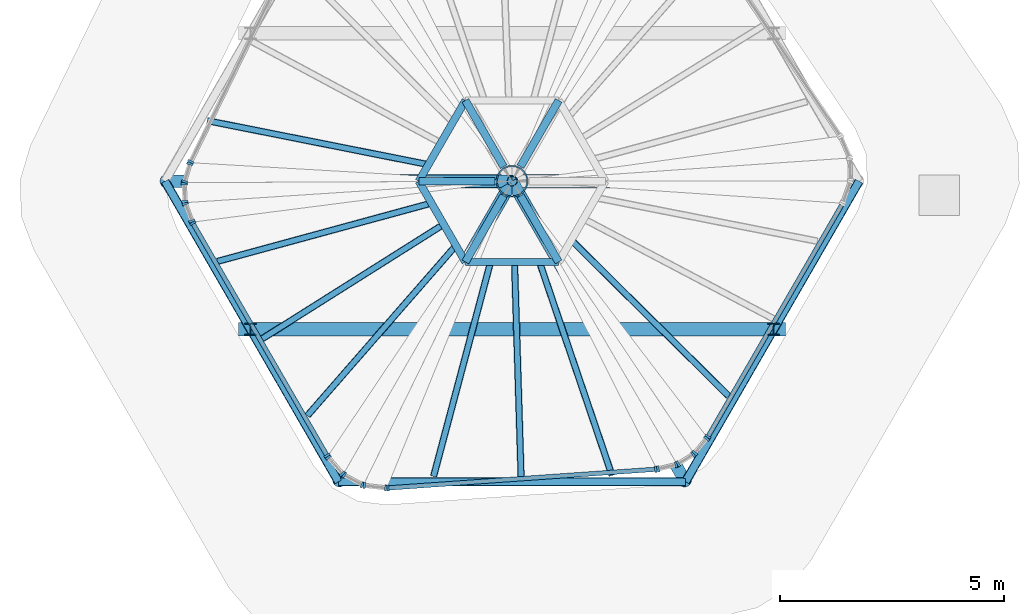
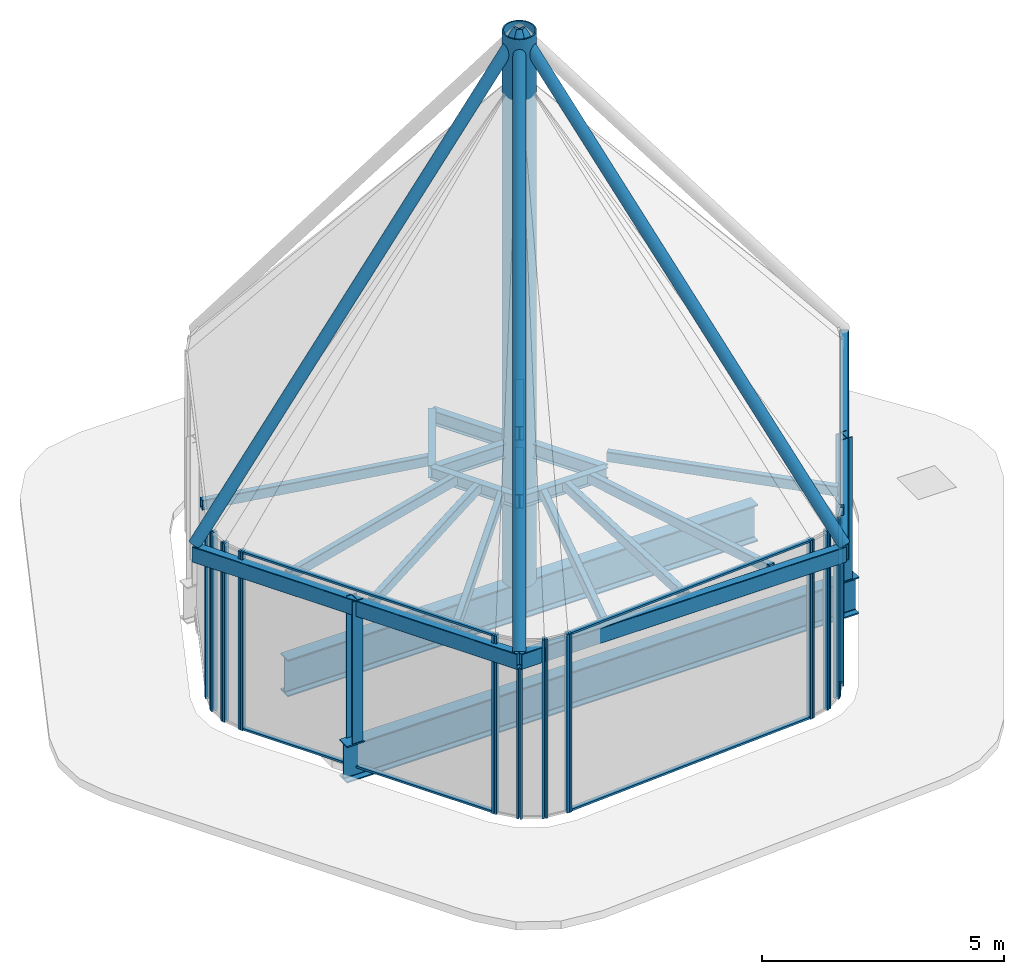
# One storey, part 1 of 4: 35 members, 21 beams, 13 elements without a shape of their own.
"""IFC4 building model written with IfcOpenShell, lengths in metres."""

import ifcopenshell
import ifcopenshell.guid

model = None  # the IFC model being written
_history = None  # IfcOwnerHistory: only IFC2X3 demands one
_inside = {}  # id of a spatial element -> (the spatial element, [elements in it])
_under = {}  # id of a project, library or spatial element -> (it, [spatial elements below it])
_declared = {}  # id of a project -> (the project, [libraries it declares])
_typed = {}  # id of a type object -> (the type object, [elements of that type])
_made_of = {}  # id of a material, layer set ... -> (it, [elements and type objects made of it])


def new_model(schema):
    """Start an empty IFC model of exactly this schema.

    Asked for "IFC4X3", IfcOpenShell would pick the latest addendum, in which some entities
    have other attributes; the version numbers below select the first issue.
    IFC2X3 requires an IfcOwnerHistory on every rooted entity: one is made here for all.
    """
    global model, _history
    if schema == "IFC4X3":
        model = ifcopenshell.file(schema_version=(4, 3, 0, 0))
    else:
        model = ifcopenshell.file(schema=schema)
    _inside.clear()
    _under.clear()
    _declared.clear()
    _typed.clear()
    _made_of.clear()
    _history = None
    if model.schema == "IFC2X3":
        org = make("IfcOrganization", Name="unknown")
        user = make(
            "IfcPersonAndOrganization",
            ThePerson=make("IfcPerson", FamilyName="unknown"),
            TheOrganization=org,
        )
        app = make(
            "IfcApplication",
            ApplicationDeveloper=org,
            Version="unknown",
            ApplicationFullName="unknown",
            ApplicationIdentifier="unknown",
        )
        _history = make(
            "IfcOwnerHistory",
            OwningUser=user,
            OwningApplication=app,
            ChangeAction="ADDED",
            CreationDate=0,
        )
    return model


def make(cls, **values):
    """One entity of the class cls with the attributes given. An attribute that is None is left unset."""
    return model.create_entity(
        cls, **{name: value for name, value in values.items() if value is not None}
    )


def rooted(cls, **values):
    """An entity with a GlobalId (a new one), such as an element, a storey or a relation."""
    return make(cls, GlobalId=ifcopenshell.guid.new(), OwnerHistory=_history, **values)


def si_unit(unit_type, name, prefix=None):
    """IfcSIUnit, for example si_unit("LENGTHUNIT", "METRE", prefix="MILLI")."""
    return make("IfcSIUnit", UnitType=unit_type, Prefix=prefix, Name=name)


def assignment(units):
    """IfcUnitAssignment: the units of a project."""
    return None if units is None else make("IfcUnitAssignment", Units=units)


def point(xyz):
    """IfcCartesianPoint."""
    return None if xyz is None else make("IfcCartesianPoint", Coordinates=xyz)


def direction(xyz):
    """IfcDirection."""
    return None if xyz is None else make("IfcDirection", DirectionRatios=xyz)


def frame(location, z_axis=None, x_axis=None):
    """IfcAxis2Placement3D, a coordinate frame: its origin and axes. An axis left out is left unset."""
    return make(
        "IfcAxis2Placement3D",
        Location=point(location),
        Axis=direction(z_axis),
        RefDirection=direction(x_axis),
    )


def frame_2d(location, x_axis=None):
    """IfcAxis2Placement2D, a coordinate frame in the plane: its origin and x axis."""
    return make(
        "IfcAxis2Placement2D", Location=point(location), RefDirection=direction(x_axis)
    )


def origin():
    """The frame at (0, 0, 0) with its axes left unset."""
    return frame((0.0, 0.0, 0.0))


def origin_2d():
    """The frame at (0, 0) in the plane with its x axis left unset."""
    return frame_2d((0.0, 0.0))


def place(relative_to, where):
    """IfcLocalPlacement: puts the frame where relative to a parent placement (None: the world)."""
    return make(
        "IfcLocalPlacement", PlacementRelTo=relative_to, RelativePlacement=where
    )


def context(
    kind, dimensions, precision=None, world=None, true_north=None, identifier=None
):
    """IfcGeometricRepresentationContext, for example the 3D "Model" context."""
    return make(
        "IfcGeometricRepresentationContext",
        ContextIdentifier=identifier,
        ContextType=kind,
        CoordinateSpaceDimension=dimensions,
        Precision=precision,
        WorldCoordinateSystem=world,
        TrueNorth=true_north,
    )


def subcontext(parent, identifier, kind, view, scale=None):
    """IfcGeometricRepresentationSubContext, for example "Body" below "Model"."""
    return make(
        "IfcGeometricRepresentationSubContext",
        ContextIdentifier=identifier,
        ContextType=kind,
        ParentContext=parent,
        TargetScale=scale,
        TargetView=view,
    )


def project(units=None, contexts=None):
    """IfcProject with its units and contexts."""
    return rooted(
        "IfcProject",
        Name="project",
        RepresentationContexts=contexts,
        UnitsInContext=assignment(units),
    )


def spatial(cls, under=None, at=None, **own):
    """A site, building, storey or space (cls), placed at a placement, below another one or the project."""
    s = rooted(cls, ObjectPlacement=at, **own)
    if under is not None:
        _under.setdefault(under.id(), (under, []))[1].append(s)
    return s


def profile(cls, at=None, kind="AREA", **sizes):
    """A parametric profile (cls). Its sizes go by their IFC names, for example OverallWidth=200.0."""
    return make(cls, ProfileType=kind, Position=at, **sizes)


def rectangle(**sizes):
    """IfcRectangleProfileDef."""
    return profile("IfcRectangleProfileDef", **sizes)


def hollow_rectangle(**sizes):
    """IfcRectangleHollowProfileDef."""
    return profile("IfcRectangleHollowProfileDef", **sizes)


def hollow_circle(**sizes):
    """IfcCircleHollowProfileDef."""
    return profile("IfcCircleHollowProfileDef", **sizes)


def i_section(**sizes):
    """IfcIShapeProfileDef."""
    return profile("IfcIShapeProfileDef", **sizes)


def extrude(swept, where, along, depth):
    """IfcExtrudedAreaSolid: the profile swept, set in the frame where, extruded along a direction by depth."""
    return make(
        "IfcExtrudedAreaSolid",
        SweptArea=swept,
        Position=where,
        ExtrudedDirection=direction(along),
        Depth=depth,
    )


def shape(context_of_items, identifier, shape_type, items):
    """IfcShapeRepresentation: the items that make up one representation, for example the "Body"."""
    return make(
        "IfcShapeRepresentation",
        ContextOfItems=context_of_items,
        RepresentationIdentifier=identifier,
        RepresentationType=shape_type,
        Items=items,
    )


def material(Name=None, Category=None):
    """IfcMaterial."""
    return make("IfcMaterial", Name=Name, Category=Category)


def material_profile(
    of_material, cross_section, Name=None, Category=None, Priority=None
):
    """IfcMaterialProfile: a cross section and its material."""
    return make(
        "IfcMaterialProfile",
        Name=Name,
        Material=of_material,
        Profile=cross_section,
        Priority=Priority,
        Category=Category,
    )


def profile_set(profiles, Name=None, composite=None):
    """IfcMaterialProfileSet."""
    return make(
        "IfcMaterialProfileSet",
        Name=Name,
        MaterialProfiles=profiles,
        CompositeProfile=composite,
    )


def made_of(thing, what):
    """Note that an element or type object is made of a material, layer set ...; save() writes the relation."""
    if what is not None:
        _made_of.setdefault(what.id(), (what, []))[1].append(thing)
    return thing


def type_object(cls, material=None, **own):
    """A type object (cls), such as IfcWallType, which elements share."""
    return made_of(rooted(cls, **own), material)


def element(
    cls,
    number,
    at=None,
    inside=None,
    cuts=None,
    type_object=None,
    material=None,
    context=None,
    identifier="Body",
    shape_type=None,
    held_by="IfcProductDefinitionShape",
    body=None,
    shapes=None,
    **own,
):
    """One element of the class cls, such as IfcWall. Its Tag is "e" and its number.

    at: its placement. inside: the storey or other place that contains it. cuts: it is an
    opening in that element (IfcRelVoidsElement). A single representation is given by context,
    identifier, shape_type and body (its items); several are given by shapes. held_by: the class
    of the entity that holds the representations. save() writes the other relations.
    """
    e = rooted(cls, Tag="e%d" % number, ObjectPlacement=at, **own)
    if body is not None:
        shapes = [shape(context, identifier, shape_type, body)]
    if shapes is not None:
        e.Representation = make(held_by, Representations=shapes)
    if inside is not None:
        _inside.setdefault(inside.id(), (inside, []))[1].append(e)
    if cuts is not None:
        rooted(
            "IfcRelVoidsElement", RelatingBuildingElement=cuts, RelatedOpeningElement=e
        )
    if type_object is not None:
        _typed.setdefault(type_object.id(), (type_object, []))[1].append(e)
    return made_of(e, material)


def aggregate(whole, parts):
    """IfcRelAggregates: a whole, such as a stair, and the parts it consists of."""
    return rooted("IfcRelAggregates", RelatingObject=whole, RelatedObjects=parts)


def save(model, path):
    """Write the relations noted so far, then the file.

    IfcRelAggregates (storeys below a building ...), IfcRelContainedInSpatialStructure (elements
    in a storey), IfcRelDefinesByType, IfcRelAssociatesMaterial and IfcRelDeclares: one each for
    every whole, place, type object, material and project.
    """
    for whole, parts in _under.values():
        aggregate(whole, parts)
    for where, things in _inside.values():
        rooted(
            "IfcRelContainedInSpatialStructure",
            RelatedElements=things,
            RelatingStructure=where,
        )
    for kind, things in _typed.values():
        rooted("IfcRelDefinesByType", RelatedObjects=things, RelatingType=kind)
    for what, things in _made_of.values():
        rooted("IfcRelAssociatesMaterial", RelatedObjects=things, RelatingMaterial=what)
    for by, libraries in _declared.values():
        rooted("IfcRelDeclares", RelatingContext=by, RelatedDefinitions=libraries)
    model.write(path)


model = new_model("IFC4")

# Units and contexts
model_context = context("Model", 3, precision=1e-05, world=origin(), true_north=direction((0.0, 1.0)))
body_context = subcontext(model_context, "Body", "Model", "MODEL_VIEW")
ifc_project = project(units=[si_unit("LENGTHUNIT", "METRE"), si_unit("AREAUNIT", "SQUARE_METRE"), si_unit("VOLUMEUNIT", "CUBIC_METRE"), si_unit("PLANEANGLEUNIT", "RADIAN"), si_unit("MASSUNIT", "GRAM", prefix="KILO")], contexts=[model_context])

# Site, building, storey
site_placement = place(None, origin())
site = spatial("IfcSite", under=ifc_project, at=site_placement, CompositionType="ELEMENT")
building_placement = place(site_placement, origin())
building = spatial("IfcBuilding", under=site, at=building_placement, Name="Tarnside Tower", CompositionType="ELEMENT")
storey_placement = place(building_placement, frame((0.0, 0.0, 410.699951171875)))
storey = spatial("IfcBuildingStorey", under=building, at=storey_placement, Name="L97", CompositionType="ELEMENT", Elevation=410.699951171875)

# Curtain wall, member
ifc_material_1 = material(Name="Crown glazing wall", Category="glass")
curtain_wall_type = type_object("IfcCurtainWallType", Name="Crown glazing wall", PredefinedType="NOTDEFINED", material=ifc_material_1)
curtain_wall_1_placement = place(storey_placement, origin())
curtain_wall_1 = element("IfcCurtainWall", 1, at=curtain_wall_1_placement, inside=storey, type_object=curtain_wall_type, Name="Crown glazing L97 08", PredefinedType="NOTDEFINED")
ifc_material_2 = material(Name="Aluminium alloy 6063", Category="aluminium")
ifc_material_profile_1 = material_profile(ifc_material_2, rectangle(XDim=0.139892578125, YDim=0.050048828125, at=origin_2d()), Name="Crown glazing mullion 50 x 140")
ifc_profile_set_1 = profile_set([ifc_material_profile_1], Name="Aluminium alloy 6063")
member_type_1 = type_object("IfcMemberType", Name="Crown glazing mullion 50 x 140", PredefinedType="MULLION", material=ifc_profile_set_1)
member_1_placement = place(storey_placement, frame((4.367431640625, -5.6953125, 0.0), z_axis=(0.0, 0.0, 1.0), x_axis=(0.866025403706, -0.500000000136, 0.0)))
member_1 = element("IfcMember", 2, at=member_1_placement, type_object=member_type_1, Name="CW6 mullion 2", PredefinedType="MULLION", context=body_context, shape_type="SweptSolid", body=[
    extrude(rectangle(XDim=0.139892578125, YDim=0.050048828125, at=origin_2d()), origin(), (0.0, 0.0, 1.0), 4.5),
])

# Curtain wall, members
curtain_wall_2_placement = place(storey_placement, origin())
curtain_wall_2 = element("IfcCurtainWall", 3, at=curtain_wall_2_placement, inside=storey, type_object=curtain_wall_type, Name="Crown glazing L97 09", PredefinedType="NOTDEFINED")
member_2_placement = place(storey_placement, frame((4.339111328125, -5.736328125, 0.0), z_axis=(0.0, 0.0, 1.0), x_axis=(0.773471593877, -0.633830966004, 0.0)))
member_2 = element("IfcMember", 4, at=member_2_placement, type_object=member_type_1, Name="CW6 mullion 1", PredefinedType="MULLION", context=body_context, shape_type="SweptSolid", body=[
    extrude(rectangle(XDim=0.139892578125, YDim=0.050048828125, at=origin_2d()), origin(), (0.0, 0.0, 1.0), 4.5),
])
member_3_placement = place(storey_placement, frame((4.076171875, -6.05712890625, 0.0), z_axis=(0.0, 0.0, 1.0), x_axis=(0.773471593877, -0.633830966004, 0.0)))
member_3 = element("IfcMember", 5, at=member_3_placement, type_object=member_type_1, Name="CW6 mullion 2", PredefinedType="MULLION", context=body_context, shape_type="SweptSolid", body=[
    extrude(rectangle(XDim=0.139892578125, YDim=0.050048828125, at=origin_2d()), origin(), (0.0, 0.0, 1.0), 4.5),
])
aggregate(curtain_wall_2, [member_2, member_3])

curtain_wall_3_placement = place(storey_placement, origin())
curtain_wall_3 = element("IfcCurtainWall", 6, at=curtain_wall_3_placement, inside=storey, type_object=curtain_wall_type, Name="Crown glazing L97 10", PredefinedType="NOTDEFINED")
member_4_placement = place(storey_placement, frame((4.0390625, -6.08984375, 0.0), z_axis=(0.0, 0.0, 1.0), x_axis=(0.529919263049, -0.848048096896, 0.0)))
member_4 = element("IfcMember", 7, at=member_4_placement, type_object=member_type_1, Name="CW6 mullion 1", PredefinedType="MULLION", context=body_context, shape_type="SweptSolid", body=[
    extrude(rectangle(XDim=0.139892578125, YDim=0.050048828125, at=origin_2d()), origin(), (0.0, 0.0, 1.0), 4.5),
])
member_5_placement = place(storey_placement, frame((3.702880859375, -6.300048828125, 0.0), z_axis=(0.0, 0.0, 1.0), x_axis=(0.529919263049, -0.848048096896, 0.0)))
member_5 = element("IfcMember", 8, at=member_5_placement, type_object=member_type_1, Name="CW6 mullion 2", PredefinedType="MULLION", context=body_context, shape_type="SweptSolid", body=[
    extrude(rectangle(XDim=0.139892578125, YDim=0.050048828125, at=origin_2d()), origin(), (0.0, 0.0, 1.0), 4.5),
])
aggregate(curtain_wall_3, [member_4, member_5])

curtain_wall_4_placement = place(storey_placement, origin())
curtain_wall_4 = element("IfcCurtainWall", 9, at=curtain_wall_4_placement, inside=storey, type_object=curtain_wall_type, Name="Crown glazing L97 11", PredefinedType="NOTDEFINED")
member_6_placement = place(storey_placement, frame((3.6572265625, -6.31884765625, 0.0), z_axis=(0.0, 0.0, 1.0), x_axis=(0.230615870992, -0.973044870521, 0.0)))
member_6 = element("IfcMember", 10, at=member_6_placement, type_object=member_type_1, Name="CW6 mullion 1", PredefinedType="MULLION", context=body_context, shape_type="SweptSolid", body=[
    extrude(rectangle(XDim=0.139892578125, YDim=0.050048828125, at=origin_2d()), origin(), (0.0, 0.0, 1.0), 4.5),
])
member_7_placement = place(storey_placement, frame((3.253662109375, -6.41455078125, 0.0), z_axis=(0.0, 0.0, 1.0), x_axis=(0.230615870992, -0.973044870521, 0.0)))
member_7 = element("IfcMember", 11, at=member_7_placement, type_object=member_type_1, Name="CW6 mullion 2", PredefinedType="MULLION", context=body_context, shape_type="SweptSolid", body=[
    extrude(rectangle(XDim=0.139892578125, YDim=0.050048828125, at=origin_2d()), origin(), (0.0, 0.0, 1.0), 4.5),
])
aggregate(curtain_wall_4, [member_6, member_7])

curtain_wall_5_placement = place(storey_placement, origin())
curtain_wall_5 = element("IfcCurtainWall", 12, at=curtain_wall_5_placement, inside=storey, type_object=curtain_wall_type, Name="Crown glazing L97 12", PredefinedType="NOTDEFINED")
member_8_placement = place(storey_placement, frame((3.204345703125, -6.422119140625, 0.0), z_axis=(0.0, 0.0, 1.0), x_axis=(0.069756473709, -0.997564050262, 0.0)))
member_8 = element("IfcMember", 13, at=member_8_placement, type_object=member_type_1, Name="CW6 mullion 1", PredefinedType="MULLION", context=body_context, shape_type="SweptSolid", body=[
    extrude(rectangle(XDim=0.139892578125, YDim=0.050048828125, at=origin_2d()), origin(), (0.0, 0.0, 1.0), 4.5),
])
member_9_placement = place(storey_placement, frame((-2.7646484375, -6.839599609375, 0.0), z_axis=(0.0, 0.0, 1.0), x_axis=(0.069756473709, -0.997564050262, 0.0)))
member_9 = element("IfcMember", 14, at=member_9_placement, type_object=member_type_1, Name="CW6 mullion 2", PredefinedType="MULLION", context=body_context, shape_type="SweptSolid", body=[
    extrude(rectangle(XDim=0.139892578125, YDim=0.050048828125, at=origin_2d()), origin(), (0.0, 0.0, 1.0), 4.5),
])

curtain_wall_6_placement = place(storey_placement, origin())
curtain_wall_6 = element("IfcCurtainWall", 15, at=curtain_wall_6_placement, inside=storey, type_object=curtain_wall_type, Name="Crown glazing L97 13", PredefinedType="NOTDEFINED")
member_10_placement = place(storey_placement, frame((-2.814453125, -6.83837890625, 0.0), z_axis=(0.0, 0.0, 1.0), x_axis=(-0.116092913351, -0.993238357832, 0.0)))
member_10 = element("IfcMember", 16, at=member_10_placement, type_object=member_type_1, Name="CW6 mullion 1", PredefinedType="MULLION", context=body_context, shape_type="SweptSolid", body=[
    extrude(rectangle(XDim=0.139892578125, YDim=0.050048828125, at=origin_2d()), origin(), (0.0, 0.0, 1.0), 4.5),
])
member_11_placement = place(storey_placement, frame((-3.29150390625, -6.782470703125, 0.0), z_axis=(0.0, 0.0, 1.0), x_axis=(-0.116092913351, -0.993238357832, 0.0)))
member_11 = element("IfcMember", 17, at=member_11_placement, type_object=member_type_1, Name="CW6 mullion 2", PredefinedType="MULLION", context=body_context, shape_type="SweptSolid", body=[
    extrude(rectangle(XDim=0.139892578125, YDim=0.050048828125, at=origin_2d()), origin(), (0.0, 0.0, 1.0), 4.5),
])
aggregate(curtain_wall_6, [member_10, member_11])

curtain_wall_7_placement = place(storey_placement, origin())
curtain_wall_7 = element("IfcCurtainWall", 18, at=curtain_wall_7_placement, inside=storey, type_object=curtain_wall_type, Name="Crown glazing L97 14", PredefinedType="NOTDEFINED")
member_12_placement = place(storey_placement, frame((-3.33837890625, -6.76806640625, 0.0), z_axis=(0.0, 0.0, 1.0), x_axis=(-0.469471562586, -0.882947592965, 0.0)))
member_12 = element("IfcMember", 19, at=member_12_placement, type_object=member_type_1, Name="CW6 mullion 1", PredefinedType="MULLION", context=body_context, shape_type="SweptSolid", body=[
    extrude(rectangle(XDim=0.139892578125, YDim=0.050048828125, at=origin_2d()), origin(), (0.0, 0.0, 1.0), 4.5),
])
member_13_placement = place(storey_placement, frame((-3.744140625, -6.55224609375, 0.0), z_axis=(0.0, 0.0, 1.0), x_axis=(-0.469471562586, -0.882947592965, 0.0)))
member_13 = element("IfcMember", 20, at=member_13_placement, type_object=member_type_1, Name="CW6 mullion 2", PredefinedType="MULLION", context=body_context, shape_type="SweptSolid", body=[
    extrude(rectangle(XDim=0.139892578125, YDim=0.050048828125, at=origin_2d()), origin(), (0.0, 0.0, 1.0), 4.5),
])
aggregate(curtain_wall_7, [member_12, member_13])

curtain_wall_8_placement = place(storey_placement, origin())
curtain_wall_8 = element("IfcCurtainWall", 21, at=curtain_wall_8_placement, inside=storey, type_object=curtain_wall_type, Name="Crown glazing L97 15", PredefinedType="NOTDEFINED")
member_14_placement = place(storey_placement, frame((-3.782470703125, -6.521484375, 0.0), z_axis=(0.0, 0.0, 1.0), x_axis=(-0.758513584084, -0.651657227965, 0.0)))
member_14 = element("IfcMember", 22, at=member_14_placement, type_object=member_type_1, Name="CW6 mullion 1", PredefinedType="MULLION", context=body_context, shape_type="SweptSolid", body=[
    extrude(rectangle(XDim=0.139892578125, YDim=0.050048828125, at=origin_2d()), origin(), (0.0, 0.0, 1.0), 4.5),
])
member_15_placement = place(storey_placement, frame((-4.095458984375, -6.1572265625, 0.0), z_axis=(0.0, 0.0, 1.0), x_axis=(-0.758513584084, -0.651657227965, 0.0)))
member_15 = element("IfcMember", 23, at=member_15_placement, type_object=member_type_1, Name="CW6 mullion 2", PredefinedType="MULLION", context=body_context, shape_type="SweptSolid", body=[
    extrude(rectangle(XDim=0.139892578125, YDim=0.050048828125, at=origin_2d()), origin(), (0.0, 0.0, 1.0), 4.5),
])
aggregate(curtain_wall_8, [member_14, member_15])

curtain_wall_9_placement = place(storey_placement, origin())
curtain_wall_9 = element("IfcCurtainWall", 24, at=curtain_wall_9_placement, inside=storey, type_object=curtain_wall_type, Name="Crown glazing L97 16", PredefinedType="NOTDEFINED")
member_16_placement = place(storey_placement, frame((-4.124267578125, -6.11669921875, 0.0), z_axis=(0.0, 0.0, 1.0), x_axis=(-0.866025403706, -0.500000000136, 0.0)))
member_16 = element("IfcMember", 25, at=member_16_placement, type_object=member_type_1, Name="CW6 mullion 1", PredefinedType="MULLION", context=body_context, shape_type="SweptSolid", body=[
    extrude(rectangle(XDim=0.139892578125, YDim=0.050048828125, at=origin_2d()), origin(), (0.0, 0.0, 1.0), 4.5),
])
member_17_placement = place(storey_placement, frame((-7.115966796875, -0.934814453125, 0.0), z_axis=(0.0, 0.0, 1.0), x_axis=(-0.866025403706, -0.500000000136, 0.0)))
member_17 = element("IfcMember", 26, at=member_17_placement, type_object=member_type_1, Name="CW6 mullion 2", PredefinedType="MULLION", context=body_context, shape_type="SweptSolid", body=[
    extrude(rectangle(XDim=0.139892578125, YDim=0.050048828125, at=origin_2d()), origin(), (0.0, 0.0, 1.0), 4.5),
])

curtain_wall_10_placement = place(storey_placement, origin())
curtain_wall_10 = element("IfcCurtainWall", 27, at=curtain_wall_10_placement, inside=storey, type_object=curtain_wall_type, Name="Crown glazing L97 17", PredefinedType="NOTDEFINED")
member_18_placement = place(storey_placement, frame((-7.137451171875, -0.8896484375, 0.0), z_axis=(0.0, 0.0, 1.0), x_axis=(-0.935649515998, -0.352930564295, 0.0)))
member_18 = element("IfcMember", 28, at=member_18_placement, type_object=member_type_1, Name="CW6 mullion 1", PredefinedType="MULLION", context=body_context, shape_type="SweptSolid", body=[
    extrude(rectangle(XDim=0.139892578125, YDim=0.050048828125, at=origin_2d()), origin(), (0.0, 0.0, 1.0), 4.5),
])
member_19_placement = place(storey_placement, frame((-7.28369140625, -0.50146484375, 0.0), z_axis=(0.0, 0.0, 1.0), x_axis=(-0.935649515998, -0.352930564295, 0.0)))
member_19 = element("IfcMember", 29, at=member_19_placement, type_object=member_type_1, Name="CW6 mullion 2", PredefinedType="MULLION", context=body_context, shape_type="SweptSolid", body=[
    extrude(rectangle(XDim=0.139892578125, YDim=0.050048828125, at=origin_2d()), origin(), (0.0, 0.0, 1.0), 4.5),
])
aggregate(curtain_wall_10, [member_18, member_19])

curtain_wall_11_placement = place(storey_placement, origin())
curtain_wall_11 = element("IfcCurtainWall", 30, at=curtain_wall_11_placement, inside=storey, type_object=curtain_wall_type, Name="Crown glazing L97 18", PredefinedType="NOTDEFINED")
member_20_placement = place(storey_placement, frame((-7.29345703125, -0.453125, 0.0), z_axis=(0.0, 0.0, 1.0), x_axis=(-0.99939082702, -0.034899496685, 0.0)))
member_20 = element("IfcMember", 31, at=member_20_placement, type_object=member_type_1, Name="CW6 mullion 1", PredefinedType="MULLION", context=body_context, shape_type="SweptSolid", body=[
    extrude(rectangle(XDim=0.139892578125, YDim=0.050048828125, at=origin_2d()), origin(), (0.0, 0.0, 1.0), 4.5),
])
member_21_placement = place(storey_placement, frame((-7.307373046875, -0.056640625, 0.0), z_axis=(0.0, 0.0, 1.0), x_axis=(-0.99939082702, -0.034899496685, 0.0)))
member_21 = element("IfcMember", 32, at=member_21_placement, type_object=member_type_1, Name="CW6 mullion 2", PredefinedType="MULLION", context=body_context, shape_type="SweptSolid", body=[
    extrude(rectangle(XDim=0.139892578125, YDim=0.050048828125, at=origin_2d()), origin(), (0.0, 0.0, 1.0), 4.5),
])
aggregate(curtain_wall_11, [member_20, member_21])

curtain_wall_12_placement = place(storey_placement, origin())
curtain_wall_12 = element("IfcCurtainWall", 33, at=curtain_wall_12_placement, inside=storey, type_object=curtain_wall_type, Name="Crown glazing L97 19", PredefinedType="NOTDEFINED")
member_22_placement = place(storey_placement, frame((-7.301025390625, -0.0078125, 0.0), z_axis=(0.0, 0.0, 1.0), x_axis=(-0.957989512404, 0.286803232416, 0.0)))
member_22 = element("IfcMember", 34, at=member_22_placement, type_object=member_type_1, Name="CW6 mullion 1", PredefinedType="MULLION", context=body_context, shape_type="SweptSolid", body=[
    extrude(rectangle(XDim=0.139892578125, YDim=0.050048828125, at=origin_2d()), origin(), (0.0, 0.0, 1.0), 4.5),
])
member_23_placement = place(storey_placement, frame((-7.181884765625, 0.3896484375, 0.0), z_axis=(0.0, 0.0, 1.0), x_axis=(-0.957989512404, 0.286803232416, 0.0)))
member_23 = element("IfcMember", 35, at=member_23_placement, type_object=member_type_1, Name="CW6 mullion 2", PredefinedType="MULLION", context=body_context, shape_type="SweptSolid", body=[
    extrude(rectangle(XDim=0.139892578125, YDim=0.050048828125, at=origin_2d()), origin(), (0.0, 0.0, 1.0), 4.5),
])
aggregate(curtain_wall_12, [member_22, member_23])

# Curtain wall, member
curtain_wall_13_placement = place(storey_placement, origin())
curtain_wall_13 = element("IfcCurtainWall", 36, at=curtain_wall_13_placement, inside=storey, type_object=curtain_wall_type, Name="Crown glazing L97 20", PredefinedType="NOTDEFINED")
member_24_placement = place(storey_placement, frame((-7.163818359375, 0.43603515625, 0.0), z_axis=(0.0, 0.0, 1.0), x_axis=(-0.898794046246, 0.438371146899, 0.0)))
member_24 = element("IfcMember", 37, at=member_24_placement, type_object=member_type_1, Name="CW6 mullion 1", PredefinedType="MULLION", context=body_context, shape_type="SweptSolid", body=[
    extrude(rectangle(XDim=0.139892578125, YDim=0.050048828125, at=origin_2d()), origin(), (0.0, 0.0, 1.0), 4.5),
])
aggregate(curtain_wall_13, [member_24])

# Member
ifc_material_profile_2 = material_profile(ifc_material_2, rectangle(XDim=0.10009765625, YDim=0.050048828125, at=origin_2d()), Name="Crown glazing transom 50 x 100")
ifc_profile_set_2 = profile_set([ifc_material_profile_2], Name="Aluminium alloy 6063")
member_type_2 = type_object("IfcMemberType", Name="Crown glazing transom 50 x 100", PredefinedType="USERDEFINED", material=ifc_profile_set_2)
member_25_placement = place(storey_placement, frame((7.3466796875, -0.53515625, 0.025146484375), z_axis=(-0.500015704134, -0.866016336809, 0.0), x_axis=(0.866016336809, -0.500015704134, 0.0)))
member_25 = element("IfcMember", 38, at=member_25_placement, type_object=member_type_2, Name="CW6 transom 1.1", ObjectType="TRANSOM", PredefinedType="USERDEFINED", context=body_context, shape_type="SweptSolid", body=[
    extrude(rectangle(XDim=0.10009765625, YDim=0.050048828125, at=origin_2d()), origin(), (0.0, 0.0, 1.0), 5.933349609375),
])

aggregate(curtain_wall_1, [member_1, member_25])

member_26_placement = place(storey_placement, frame((3.179443359375, -6.423828125, 0.025146484375), z_axis=(-0.997562262058, -0.069782041512, 0.0), x_axis=(0.069782041512, -0.997562262058, 0.0)))
member_26 = element("IfcMember", 39, at=member_26_placement, type_object=member_type_2, Name="CW6 transom 1.1", ObjectType="TRANSOM", PredefinedType="USERDEFINED", context=body_context, shape_type="SweptSolid", body=[
    extrude(rectangle(XDim=0.10009765625, YDim=0.050048828125, at=origin_2d()), origin(), (0.0, 0.0, 1.0), 5.93359375),
])

member_27_placement = place(storey_placement, frame((3.179443359375, -6.423828125, 4.47509765625), z_axis=(-0.997562262058, -0.069782041512, 0.0), x_axis=(0.069782041512, -0.997562262058, 0.0)))
member_27 = element("IfcMember", 40, at=member_27_placement, type_object=member_type_2, Name="CW6 transom 1.2", ObjectType="TRANSOM", PredefinedType="USERDEFINED", context=body_context, shape_type="SweptSolid", body=[
    extrude(rectangle(XDim=0.10009765625, YDim=0.050048828125, at=origin_2d()), origin(), (0.0, 0.0, 1.0), 5.93359375),
])

aggregate(curtain_wall_5, [member_8, member_9, member_26, member_27])

member_28_placement = place(storey_placement, frame((-4.13671875, -6.094970703125, 0.025146484375), z_axis=(-0.49999788721, 0.866026623601, 0.0), x_axis=(-0.866026623601, -0.49999788721, 0.0)))
member_28 = element("IfcMember", 41, at=member_28_placement, type_object=member_type_2, Name="CW6 transom 1.1", ObjectType="TRANSOM", PredefinedType="USERDEFINED", context=body_context, shape_type="SweptSolid", body=[
    extrude(rectangle(XDim=0.10009765625, YDim=0.050048828125, at=origin_2d()), origin(), (0.0, 0.0, 1.0), 5.93359375),
])

member_29_placement = place(storey_placement, frame((-4.13671875, -6.094970703125, 4.47509765625), z_axis=(-0.49999788721, 0.866026623601, 0.0), x_axis=(-0.866026623601, -0.49999788721, 0.0)))
member_29 = element("IfcMember", 42, at=member_29_placement, type_object=member_type_2, Name="CW6 transom 1.2", ObjectType="TRANSOM", PredefinedType="USERDEFINED", context=body_context, shape_type="SweptSolid", body=[
    extrude(rectangle(XDim=0.10009765625, YDim=0.050048828125, at=origin_2d()), origin(), (0.0, 0.0, 1.0), 5.93359375),
])

aggregate(curtain_wall_9, [member_16, member_17, member_28, member_29])

# Members
ifc_material_3 = material(Name="Steel S355", Category="steel")
ifc_material_profile_3 = material_profile(ifc_material_3, hollow_circle(Radius=0.136474609375, WallThickness=0.012451171875, at=origin_2d()), Name="CHS 273x12.5")
ifc_profile_set_3 = profile_set([ifc_material_profile_3], Name="Steel S355")
member_type_3 = type_object("IfcMemberType", Name="Crown rafter CHS 273x12.5", PredefinedType="RAFTER", material=ifc_profile_set_3)
member_30_placement = place(storey_placement, frame((-7.736572265625, 0.0, 4.300048828125), z_axis=(0.602442784499, 0.0, 0.798162070889), x_axis=(0.0, 1.0, 0.0)))
element("IfcMember", 43, at=member_30_placement, inside=storey, type_object=member_type_3, Name="Pyramid rib 2", PredefinedType="RAFTER", context=body_context, shape_type="SweptSolid", body=[
    extrude(hollow_circle(Radius=0.136474609375, WallThickness=0.012451171875, at=origin_2d()), origin(), (0.0, 0.0, 1.0), 12.842041015625),
])
for number, where, z_axis, x_axis, name in (
    (44, (-3.8681640625, -6.699951171875, 4.300048828125), (0.301214180284, 0.521725621657, 0.798168148514), (-0.866028456981, 0.499994711672, 0.0), "Pyramid rib 3"),
    (45, (3.8681640625, -6.699951171875, 4.300048828125), (-0.301214180284, 0.521725621657, 0.798168148514), (-0.866028456981, -0.499994711672, 0.0), "Pyramid rib 4"),
):
    element("IfcMember", number, at=place(storey_placement, frame(where, z_axis=z_axis, x_axis=x_axis)), inside=storey, type_object=member_type_3, Name=name, PredefinedType="RAFTER", context=body_context, shape_type="SweptSolid", body=[
        extrude(hollow_circle(Radius=0.136474609375, WallThickness=0.012451171875, at=origin_2d()), origin(), (0.0, 0.0, 1.0), 12.841796875),
    ])

# Beams
ifc_material_profile_4 = material_profile(ifc_material_3, hollow_rectangle(XDim=0.14990234375, YDim=0.25, WallThickness=0.010009765625, InnerFilletRadius=0.010009765625, OuterFilletRadius=0.02001953125, at=origin_2d()), Name="RHS 250x150x10")
ifc_profile_set_4 = profile_set([ifc_material_profile_4], Name="Steel S355")
beam_type_1 = type_object("IfcBeamType", Name="Floor beam RHS 250x150x10", PredefinedType="BEAM", material=ifc_profile_set_4)
beam_1_placement = place(storey_placement, frame((-6.798095703125, 1.349609375, 4.175048828125), z_axis=(0.980854475131, -0.194742133644, 0.0), x_axis=(0.194742133644, 0.980854475131, 0.0)))
element("IfcBeam", 46, at=beam_1_placement, inside=storey, type_object=beam_type_1, Name="Floor beam RB6", PredefinedType="BEAM", context=body_context, shape_type="SweptSolid", body=[
    extrude(hollow_rectangle(XDim=0.14990234375, YDim=0.25, WallThickness=0.010009765625, InnerFilletRadius=0.010009765625, OuterFilletRadius=0.02001953125, at=origin_2d()), origin(), (0.0, 0.0, 1.0), 4.989501953125),
])
beam_2_placement = place(storey_placement, frame((-6.566650390625, -1.787841796875, 4.175048828125), z_axis=(0.964871290536, 0.262723034199, 0.0), x_axis=(-0.262723034199, 0.964871290536, 0.0)))
element("IfcBeam", 47, at=beam_2_placement, inside=storey, type_object=beam_type_1, Name="Floor beam RB7", PredefinedType="BEAM", context=body_context, shape_type="SweptSolid", body=[
    extrude(hollow_rectangle(XDim=0.14990234375, YDim=0.25, WallThickness=0.010009765625, InnerFilletRadius=0.010009765625, OuterFilletRadius=0.02001953125, at=origin_2d()), origin(), (0.0, 0.0, 1.0), 4.92431640625),
])
beam_3_placement = place(storey_placement, frame((-5.569580078125, -3.51318359375, 4.175048828125), z_axis=(0.84578835753, 0.533518560376, 0.0), x_axis=(-0.533518560376, 0.84578835753, 0.0)))
element("IfcBeam", 48, at=beam_3_placement, inside=storey, type_object=beam_type_1, Name="Floor beam RB8", PredefinedType="BEAM", context=body_context, shape_type="SweptSolid", body=[
    extrude(hollow_rectangle(XDim=0.14990234375, YDim=0.25, WallThickness=0.010009765625, InnerFilletRadius=0.010009765625, OuterFilletRadius=0.02001953125, at=origin_2d()), origin(), (0.0, 0.0, 1.0), 4.763671875),
])
beam_4_placement = place(storey_placement, frame((-4.560791015625, -5.224853515625, 4.175048828125), z_axis=(0.657614483687, 0.753354624891, 0.0), x_axis=(-0.753354624891, 0.657614483687, 0.0)))
element("IfcBeam", 49, at=beam_4_placement, inside=storey, type_object=beam_type_1, Name="Floor beam RB9", PredefinedType="BEAM", context=body_context, shape_type="SweptSolid", body=[
    extrude(hollow_rectangle(XDim=0.14990234375, YDim=0.25, WallThickness=0.010009765625, InnerFilletRadius=0.010009765625, OuterFilletRadius=0.02001953125, at=origin_2d()), origin(), (0.0, 0.0, 1.0), 4.992919921875),
])
beam_5_placement = place(storey_placement, frame((-1.748779296875, -6.58056640625, 4.175048828125), z_axis=(0.256851354757, 0.966450920409, 0.0), x_axis=(-0.966450920409, 0.256851354757, 0.0)))
element("IfcBeam", 50, at=beam_5_placement, inside=storey, type_object=beam_type_1, Name="Floor beam RB10", PredefinedType="BEAM", context=body_context, shape_type="SweptSolid", body=[
    extrude(hollow_rectangle(XDim=0.14990234375, YDim=0.25, WallThickness=0.010009765625, InnerFilletRadius=0.010009765625, OuterFilletRadius=0.02001953125, at=origin_2d()), origin(), (0.0, 0.0, 1.0), 4.926513671875),
])
beam_6_placement = place(storey_placement, frame((0.20166015625, -6.580078125, 4.175048828125), z_axis=(-0.030605750934, 0.999531534275, 0.0), x_axis=(-0.999531534275, -0.030605750934, 0.0)))
element("IfcBeam", 51, at=beam_6_placement, inside=storey, type_object=beam_type_1, Name="Floor beam RB11", PredefinedType="BEAM", context=body_context, shape_type="SweptSolid", body=[
    extrude(hollow_rectangle(XDim=0.14990234375, YDim=0.25, WallThickness=0.010009765625, InnerFilletRadius=0.010009765625, OuterFilletRadius=0.02001953125, at=origin_2d()), origin(), (0.0, 0.0, 1.0), 4.76220703125),
])
beam_7_placement = place(storey_placement, frame((2.230224609375, -6.56201171875, 4.175048828125), z_axis=(-0.32181501159, 0.946802565647, 0.0), x_axis=(-0.946802565647, -0.32181501159, 0.0)))
element("IfcBeam", 52, at=beam_7_placement, inside=storey, type_object=beam_type_1, Name="Floor beam RB12", PredefinedType="BEAM", context=body_context, shape_type="SweptSolid", body=[
    extrude(hollow_rectangle(XDim=0.14990234375, YDim=0.25, WallThickness=0.010009765625, InnerFilletRadius=0.010009765625, OuterFilletRadius=0.02001953125, at=origin_2d()), origin(), (0.0, 0.0, 1.0), 4.989501953125),
])
beam_8_placement = place(storey_placement, frame((4.83154296875, -4.79296875, 4.175048828125), z_axis=(-0.709951947965, 0.704250120043, 0.0), x_axis=(-0.704250120043, -0.709951947965, 0.0)))
element("IfcBeam", 53, at=beam_8_placement, inside=storey, type_object=beam_type_1, Name="Floor beam RB13", PredefinedType="BEAM", context=body_context, shape_type="SweptSolid", body=[
    extrude(hollow_rectangle(XDim=0.14990234375, YDim=0.25, WallThickness=0.010009765625, InnerFilletRadius=0.010009765625, OuterFilletRadius=0.02001953125, at=origin_2d()), origin(), (0.0, 0.0, 1.0), 4.924072265625),
])
ifc_material_profile_5 = material_profile(ifc_material_3, hollow_rectangle(XDim=0.199951171875, YDim=0.39990234375, WallThickness=0.012451171875, InnerFilletRadius=0.012451171875, OuterFilletRadius=0.02490234375, at=origin_2d()), Name="RHS 400x200x12.5")
ifc_profile_set_5 = profile_set([ifc_material_profile_5], Name="Steel S355")
beam_type_2 = type_object("IfcBeamType", Name="Floor beam RHS 400x200x12.5", PredefinedType="BEAM", material=ifc_profile_set_5)
beam_9_placement = place(storey_placement, frame((-7.736572265625, 0.0, 4.10009765625), z_axis=(0.500018379294, -0.866014792234, 0.0), x_axis=(0.866014792234, 0.500018379294, 0.0)))
element("IfcBeam", 54, at=beam_9_placement, inside=storey, type_object=beam_type_2, Name="Floor beam ER2", PredefinedType="BEAM", context=body_context, shape_type="SweptSolid", body=[
    extrude(hollow_rectangle(XDim=0.199951171875, YDim=0.39990234375, WallThickness=0.012451171875, InnerFilletRadius=0.012451171875, OuterFilletRadius=0.02490234375, at=origin_2d()), origin(), (0.0, 0.0, 1.0), 7.736572265625),
])
beam_10_placement = place(storey_placement, frame((-3.8681640625, -6.699951171875, 4.10009765625), z_axis=(1.0, 0.0, 0.0), x_axis=(0.0, 1.0, 0.0)))
element("IfcBeam", 55, at=beam_10_placement, inside=storey, type_object=beam_type_2, Name="Floor beam ER3", PredefinedType="BEAM", context=body_context, shape_type="SweptSolid", body=[
    extrude(hollow_rectangle(XDim=0.199951171875, YDim=0.39990234375, WallThickness=0.012451171875, InnerFilletRadius=0.012451171875, OuterFilletRadius=0.02490234375, at=origin_2d()), origin(), (0.0, 0.0, 1.0), 7.736328125),
])
beam_11_placement = place(storey_placement, frame((3.8681640625, -6.699951171875, 4.10009765625), z_axis=(0.500018379294, 0.866014792234, 0.0), x_axis=(-0.866014792234, 0.500018379294, 0.0)))
element("IfcBeam", 56, at=beam_11_placement, inside=storey, type_object=beam_type_2, Name="Floor beam ER4", PredefinedType="BEAM", context=body_context, shape_type="SweptSolid", body=[
    extrude(hollow_rectangle(XDim=0.199951171875, YDim=0.39990234375, WallThickness=0.012451171875, InnerFilletRadius=0.012451171875, OuterFilletRadius=0.02490234375, at=origin_2d()), origin(), (0.0, 0.0, 1.0), 7.736572265625),
])
ifc_material_profile_6 = material_profile(ifc_material_3, i_section(OverallWidth=0.1650390625, OverallDepth=0.303466796875, WebThickness=0.006103515625, FlangeThickness=0.01025390625, FilletRadius=0.0087890625, at=origin_2d()), Name="UB 305x165x40")
ifc_profile_set_6 = profile_set([ifc_material_profile_6], Name="Steel S355")
beam_type_3 = type_object("IfcBeamType", Name="Floor beam UB 305x165x40", PredefinedType="BEAM", material=ifc_profile_set_6)
for number, where, z_axis, x_axis, name in (
    (57, (-1.039306640625, 1.800048828125, 4.1484375), (-0.499929208183, -0.866066271601, 0.0), (0.866066271601, -0.499929208183, 0.0), "Floor beam CL3"),
    (58, (-2.078369140625, 0.0, 4.1484375), (0.499929208183, -0.866066271601, 0.0), (0.866066271601, 0.499929208183, 0.0), "Floor beam CL4"),
):
    element("IfcBeam", number, at=place(storey_placement, frame(where, z_axis=z_axis, x_axis=x_axis)), inside=storey, type_object=beam_type_3, Name=name, PredefinedType="BEAM", context=body_context, shape_type="SweptSolid", body=[
        extrude(i_section(OverallWidth=0.1650390625, OverallDepth=0.303466796875, WebThickness=0.006103515625, FlangeThickness=0.01025390625, FilletRadius=0.0087890625, at=origin_2d()), origin(), (0.0, 0.0, 1.0), 2.078369140625),
    ])
beam_12_placement = place(storey_placement, frame((-1.039306640625, -1.800048828125, 4.1484375), z_axis=(1.0, 0.0, 0.0), x_axis=(0.0, 1.0, 0.0)))
element("IfcBeam", 59, at=beam_12_placement, inside=storey, type_object=beam_type_3, Name="Floor beam CL5", PredefinedType="BEAM", context=body_context, shape_type="SweptSolid", body=[
    extrude(i_section(OverallWidth=0.1650390625, OverallDepth=0.303466796875, WebThickness=0.006103515625, FlangeThickness=0.01025390625, FilletRadius=0.0087890625, at=origin_2d()), origin(), (0.0, 0.0, 1.0), 2.07861328125),
])
ifc_material_profile_7 = material_profile(ifc_material_3, i_section(OverallWidth=0.17138671875, OverallDepth=0.35498046875, WebThickness=0.00732421875, FlangeThickness=0.011474609375, FilletRadius=0.01025390625, at=origin_2d()), Name="UB 356x171x51")
ifc_profile_set_7 = profile_set([ifc_material_profile_7], Name="Steel S355")
beam_type_4 = type_object("IfcBeamType", Name="Floor beam UB 356x171x51", PredefinedType="BEAM", material=ifc_profile_set_7)
for number, where, z_axis, x_axis, name in (
    (60, (0.187744140625, 0.3251953125, 4.12255859375), (0.500024408658, 0.866011310981, 0.0), (-0.866011310981, 0.500024408658, 0.0), "Floor beam SP2"),
    (61, (-0.187744140625, 0.3251953125, 4.12255859375), (-0.500024408658, 0.866011310981, 0.0), (-0.866011310981, -0.500024408658, 0.0), "Floor beam SP3"),
):
    element("IfcBeam", number, at=place(storey_placement, frame(where, z_axis=z_axis, x_axis=x_axis)), inside=storey, type_object=beam_type_4, Name=name, PredefinedType="BEAM", context=body_context, shape_type="SweptSolid", body=[
        extrude(i_section(OverallWidth=0.17138671875, OverallDepth=0.35498046875, WebThickness=0.00732421875, FlangeThickness=0.011474609375, FilletRadius=0.01025390625, at=origin_2d()), origin(), (0.0, 0.0, 1.0), 1.703125),
    ])
beam_13_placement = place(storey_placement, frame((-0.37548828125, 0.0, 4.12255859375), z_axis=(-1.0, 0.0, 0.0), x_axis=(0.0, -1.0, 0.0)))
element("IfcBeam", 62, at=beam_13_placement, inside=storey, type_object=beam_type_4, Name="Floor beam SP4", PredefinedType="BEAM", context=body_context, shape_type="SweptSolid", body=[
    extrude(i_section(OverallWidth=0.17138671875, OverallDepth=0.35498046875, WebThickness=0.00732421875, FlangeThickness=0.011474609375, FilletRadius=0.01025390625, at=origin_2d()), origin(), (0.0, 0.0, 1.0), 1.702880859375),
])
for number, where, z_axis, x_axis, name in (
    (63, (-0.187744140625, -0.3251953125, 4.12255859375), (-0.500024408658, -0.866011310981, 0.0), (0.866011310981, -0.500024408658, 0.0), "Floor beam SP5"),
    (64, (0.187744140625, -0.3251953125, 4.12255859375), (0.500024408658, -0.866011310981, 0.0), (0.866011310981, 0.500024408658, 0.0), "Floor beam SP6"),
):
    element("IfcBeam", number, at=place(storey_placement, frame(where, z_axis=z_axis, x_axis=x_axis)), inside=storey, type_object=beam_type_4, Name=name, PredefinedType="BEAM", context=body_context, shape_type="SweptSolid", body=[
        extrude(i_section(OverallWidth=0.17138671875, OverallDepth=0.35498046875, WebThickness=0.00732421875, FlangeThickness=0.011474609375, FilletRadius=0.01025390625, at=origin_2d()), origin(), (0.0, 0.0, 1.0), 1.703125),
    ])
ifc_material_profile_8 = material_profile(ifc_material_3, i_section(OverallWidth=0.3076171875, OverallDepth=0.926513671875, WebThickness=0.01953125, FlangeThickness=0.031982421875, FilletRadius=0.01904296875, at=origin_2d()), Name="UB 914x305x289")
ifc_profile_set_8 = profile_set([ifc_material_profile_8], Name="Steel S355")
beam_type_5 = type_object("IfcBeamType", Name="Perimeter girder UB 914x305x289", PredefinedType="BEAM", material=ifc_profile_set_8)
beam_14_placement = place(storey_placement, frame((-6.10009765625, -3.300048828125, 0.263427734375), z_axis=(1.0, 0.0, 0.0), x_axis=(0.0, 1.0, 0.0)))
element("IfcBeam", 65, at=beam_14_placement, inside=storey, type_object=beam_type_5, Name="Perimeter girder MF2", PredefinedType="BEAM", context=body_context, shape_type="SweptSolid", body=[
    extrude(i_section(OverallWidth=0.3076171875, OverallDepth=0.926513671875, WebThickness=0.01953125, FlangeThickness=0.031982421875, FilletRadius=0.01904296875, at=origin_2d()), origin(), (0.0, 0.0, 1.0), 12.2001953125),
])
beam_15_placement = place(storey_placement, frame((-5.60009765625, 0.0, 0.263427734375), z_axis=(1.0, 0.0, 0.0), x_axis=(0.0, 1.0, 0.0)))
element("IfcBeam", 66, at=beam_15_placement, inside=storey, type_object=beam_type_5, Name="Perimeter girder MF3", PredefinedType="BEAM", context=body_context, shape_type="SweptSolid", body=[
    extrude(i_section(OverallWidth=0.3076171875, OverallDepth=0.926513671875, WebThickness=0.01953125, FlangeThickness=0.031982421875, FilletRadius=0.01904296875, at=origin_2d()), origin(), (0.0, 0.0, 1.0), 11.2001953125),
])

# Members
ifc_material_profile_9 = material_profile(ifc_material_3, hollow_circle(Radius=0.35546875, WallThickness=0.030029296875, at=origin_2d()), Name="CHS 711x30")
ifc_profile_set_9 = profile_set([ifc_material_profile_9], Name="Steel S355")
member_type_4 = type_object("IfcMemberType", Name="Truss post CHS 711x30", PredefinedType="POST", material=ifc_profile_set_9)
member_31_placement = place(storey_placement, frame((0.0, 0.0, 0.7265625), z_axis=(0.0, 0.0, 1.0), x_axis=(1.0, 0.0, 0.0)))
element("IfcMember", 67, at=member_31_placement, inside=storey, type_object=member_type_4, Name="Mast shaft", PredefinedType="POST", context=body_context, shape_type="SweptSolid", body=[
    extrude(hollow_circle(Radius=0.35546875, WallThickness=0.030029296875, at=origin_2d()), origin(), (0.0, 0.0, 1.0), 13.823486328125),
])
ifc_material_profile_10 = material_profile(ifc_material_3, i_section(OverallWidth=0.25634765625, OverallDepth=0.26025390625, WebThickness=0.01025390625, FlangeThickness=0.017333984375, FilletRadius=0.0126953125, at=origin_2d()), Name="UC 254x254x89")
ifc_profile_set_10 = profile_set([ifc_material_profile_10], Name="Steel S355")
member_type_5 = type_object("IfcMemberType", Name="Truss post UC 254x254x89", PredefinedType="POST", material=ifc_profile_set_10)
for number, where, z_axis, x_axis, name in (
    (68, (5.830078125, -3.300048828125, 0.7265625), (0.0, 0.0, 1.0), (1.0, 0.0, 0.0), "Crown post 2"),
    (69, (-5.830078125, -3.300048828125, 0.7265625), (0.0, 0.0, 1.0), (1.0, 0.0, 0.0), "Crown post 4"),
):
    element("IfcMember", number, at=place(storey_placement, frame(where, z_axis=z_axis, x_axis=x_axis)), inside=storey, type_object=member_type_5, Name=name, PredefinedType="POST", context=body_context, shape_type="SweptSolid", body=[
        extrude(i_section(OverallWidth=0.25634765625, OverallDepth=0.26025390625, WebThickness=0.01025390625, FlangeThickness=0.017333984375, FilletRadius=0.0126953125, at=origin_2d()), origin(), (0.0, 0.0, 1.0), 3.573486328125),
    ])

save(model, "model.ifc")
